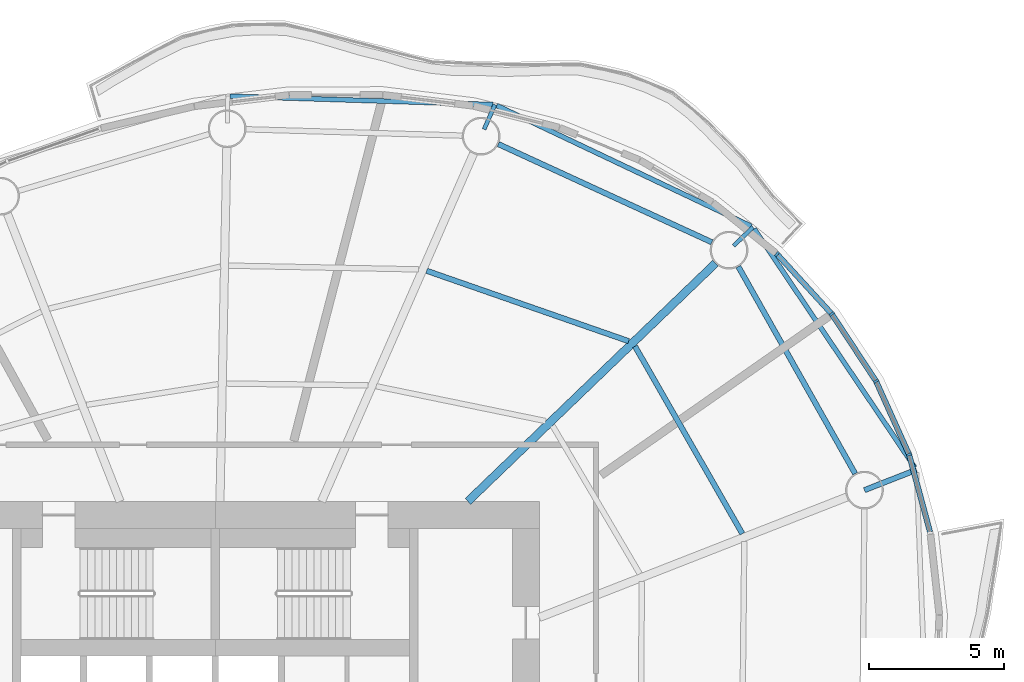
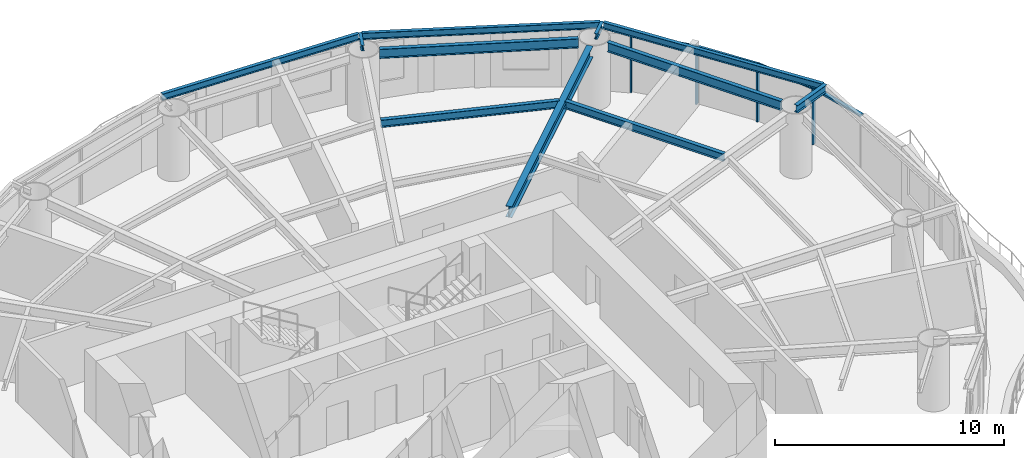
# One storey, part 6 of 14: 11 beams, 8 members, 4 elements without a shape of their own.
"""IFC4 building model written with IfcOpenShell, lengths in metres."""

from ifc_helpers import new_model, si_unit, direction, frame, origin, origin_2d, place, context, subcontext, project, spatial, rectangle, i_section, extrude, material, material_profile, profile_set, type_object, element, aggregate, save


model = new_model("IFC4")

# Units and contexts
model_context = context("Model", 3, precision=1e-05, world=origin(), true_north=direction((0.0, 1.0)))
body_context = subcontext(model_context, "Body", "Model", "MODEL_VIEW")
ifc_project = project(units=[si_unit("LENGTHUNIT", "METRE"), si_unit("AREAUNIT", "SQUARE_METRE"), si_unit("VOLUMEUNIT", "CUBIC_METRE"), si_unit("PLANEANGLEUNIT", "RADIAN"), si_unit("MASSUNIT", "GRAM", prefix="KILO")], contexts=[model_context])

# Site, building, storey
site_placement = place(None, origin())
site = spatial("IfcSite", under=ifc_project, at=site_placement, CompositionType="ELEMENT")
building_placement = place(site_placement, origin())
building = spatial("IfcBuilding", under=site, at=building_placement, Name="Vermilion Reach Broadcast Tower", CompositionType="ELEMENT")
storey_placement = place(building_placement, frame((0.0, 0.0, 150.60009765625)))
storey = spatial("IfcBuildingStorey", under=building, at=storey_placement, Name="L35", CompositionType="ELEMENT", Elevation=150.60009765625)

# Beams
ifc_material_1 = material(Name="Steel S355J2", Category="steel")
ifc_material_profile_1 = material_profile(ifc_material_1, i_section(OverallWidth=0.175048828125, OverallDepth=0.35009765625, WebThickness=0.007080078125, FlangeThickness=0.010986328125, at=origin_2d()), Name="S355J2 HN 350x175x7x11")
ifc_profile_set_1 = profile_set([ifc_material_profile_1], Name="Steel S355J2")
beam_type_1 = type_object("IfcBeamType", Name="EB3 HN 350x175x7x11", PredefinedType="BEAM", material=ifc_profile_set_1)
beam_1_placement = place(storey_placement, frame((13.84228515625, 19.192138671875, 3.27490234375), z_axis=(-0.903495446889, 0.428597687175, 0.0), x_axis=(-0.428597687175, -0.903495446889, 0.0)))
element("IfcBeam", 1, at=beam_1_placement, inside=storey, type_object=beam_type_1, Name="Edge beam EB3-01", PredefinedType="BEAM", context=body_context, shape_type="SweptSolid", body=[
    extrude(i_section(OverallWidth=0.175048828125, OverallDepth=0.35009765625, WebThickness=0.007080078125, FlangeThickness=0.010986328125, at=origin_2d()), origin(), (0.0, 0.0, 1.0), 10.4248046875),
])
beam_2_placement = place(storey_placement, frame((4.275146484375, 23.69482421875, 3.27490234375), z_axis=(-0.999495579017, 0.03175826705, 0.0), x_axis=(-0.03175826705, -0.999495579017, 0.0)))
element("IfcBeam", 2, at=beam_2_placement, inside=storey, type_object=beam_type_1, Name="Edge beam EB3-02", PredefinedType="BEAM", context=body_context, shape_type="SweptSolid", body=[
    extrude(i_section(OverallWidth=0.175048828125, OverallDepth=0.35009765625, WebThickness=0.007080078125, FlangeThickness=0.010986328125, at=origin_2d()), origin(), (0.0, 0.0, 1.0), 9.739990234375),
])
beam_3_placement = place(storey_placement, frame((19.906005859375, 10.254638671875, 3.27490234375), z_axis=(-0.558301159465, 0.829638364192, 0.0), x_axis=(-0.829638364192, -0.558301159465, 0.0)))
element("IfcBeam", 3, at=beam_3_placement, inside=storey, type_object=beam_type_1, Name="Edge beam EB3-16", PredefinedType="BEAM", context=body_context, shape_type="SweptSolid", body=[
    extrude(i_section(OverallWidth=0.175048828125, OverallDepth=0.35009765625, WebThickness=0.007080078125, FlangeThickness=0.010986328125, at=origin_2d()), origin(), (0.0, 0.0, 1.0), 10.655029296875),
])
ifc_material_2 = material(Name="Steel S355J2", Category="steel")
ifc_material_profile_2 = material_profile(ifc_material_2, i_section(OverallWidth=0.300048828125, OverallDepth=0.587890625, WebThickness=0.011962890625, FlangeThickness=0.02001953125, at=origin_2d()), Name="S355J2 HM 588x300x12x20")
ifc_profile_set_2 = profile_set([ifc_material_profile_2], Name="Steel S355J2")
beam_type_2 = type_object("IfcBeamType", Name="G3 HM 588x300x12x20", PredefinedType="BEAM", material=ifc_profile_set_2)
beam_4_placement = place(storey_placement, frame((3.355712890625, 9.0, 3.156005859375), z_axis=(0.720670374476, 0.693277874559, 0.0), x_axis=(-0.693277874559, 0.720670374476, 0.0)))
element("IfcBeam", 4, at=beam_4_placement, inside=storey, type_object=beam_type_2, Name="Girder G3-01", PredefinedType="BEAM", context=body_context, shape_type="SweptSolid", body=[
    extrude(i_section(OverallWidth=0.300048828125, OverallDepth=0.587890625, WebThickness=0.011962890625, FlangeThickness=0.02001953125, at=origin_2d()), origin(), (0.0, 0.0, 1.0), 12.718505859375),
])
ifc_material_3 = material(Name="Steel S355J2", Category="steel")
ifc_material_profile_3 = material_profile(ifc_material_3, i_section(OverallWidth=0.199951171875, OverallDepth=0.39990234375, WebThickness=0.008056640625, FlangeThickness=0.012939453125, at=origin_2d()), Name="S355J2 HN 400x200x8x13")
ifc_profile_set_3 = profile_set([ifc_material_profile_3], Name="Steel S355J2")
beam_type_3 = type_object("IfcBeamType", Name="GC3 HN 400x200x8x13", PredefinedType="BEAM", material=ifc_profile_set_3)
beam_5_placement = place(storey_placement, frame((18.04052734375, 9.41650390625, 3.25), z_axis=(0.931103154968, 0.364755966105, 0.0), x_axis=(-0.364755966105, 0.931103154968, 0.0)))
element("IfcBeam", 5, at=beam_5_placement, inside=storey, type_object=beam_type_3, Name="Cantilever girder GC3-16", PredefinedType="BEAM", context=body_context, shape_type="SweptSolid", body=[
    extrude(i_section(OverallWidth=0.199951171875, OverallDepth=0.39990234375, WebThickness=0.008056640625, FlangeThickness=0.012939453125, at=origin_2d()), origin(), (0.0, 0.0, 1.0), 2.06494140625),
])
ifc_material_4 = material(Name="Steel S355J2", Category="steel")
ifc_material_profile_4 = material_profile(ifc_material_4, i_section(OverallWidth=0.14990234375, OverallDepth=0.300048828125, WebThickness=0.006591796875, FlangeThickness=0.009033203125, at=origin_2d()), Name="S355J2 HN 300x150x6.5x9")
ifc_profile_set_4 = profile_set([ifc_material_profile_4], Name="Steel S355J2")
beam_type_4 = type_object("IfcBeamType", Name="GS3 HN 300x150x6.5x9", PredefinedType="BEAM", material=ifc_profile_set_4)
for number, where, z_axis, x_axis, name in (
    (6, (13.194091796875, 18.46435546875, 3.2998046875), (0.720645397388, 0.693303837595, 0.0), (-0.693303837595, 0.720645397388, 0.0), "Cantilever stub GS3-01"),
    (7, (3.955322265625, 22.77587890625, 3.2998046875), (0.400421736837, 0.916330962408, 0.0), (-0.916330962408, 0.400421736837, 0.0), "Cantilever stub GS3-02"),
):
    element("IfcBeam", number, at=place(storey_placement, frame(where, z_axis=z_axis, x_axis=x_axis)), inside=storey, type_object=beam_type_4, Name=name, PredefinedType="BEAM", context=body_context, shape_type="SweptSolid", body=[
        extrude(i_section(OverallWidth=0.14990234375, OverallDepth=0.300048828125, WebThickness=0.006591796875, FlangeThickness=0.009033203125, at=origin_2d()), origin(), (0.0, 0.0, 1.0), 1.0),
    ])
ifc_material_5 = material(Name="Steel S355J2", Category="steel")
ifc_material_profile_5 = material_profile(ifc_material_5, i_section(OverallWidth=0.199951171875, OverallDepth=0.5, WebThickness=0.010009765625, FlangeThickness=0.01611328125, at=origin_2d()), Name="S355J2 HN 500x200x10x16")
ifc_profile_set_5 = profile_set([ifc_material_profile_5], Name="Steel S355J2")
beam_type_5 = type_object("IfcBeamType", Name="RB3 HN 500x200x10x16", PredefinedType="BEAM", material=ifc_profile_set_5)
beam_6_placement = place(storey_placement, frame((12.389892578125, 18.594970703125, 3.199951171875), z_axis=(-0.908546241769, 0.417784306272, 0.0), x_axis=(-0.417784306272, -0.908546241769, 0.0)))
element("IfcBeam", 8, at=beam_6_placement, inside=storey, type_object=beam_type_5, Name="Ring beam RB3-01", PredefinedType="BEAM", context=body_context, shape_type="SweptSolid", body=[
    extrude(i_section(OverallWidth=0.199951171875, OverallDepth=0.5, WebThickness=0.010009765625, FlangeThickness=0.01611328125, at=origin_2d()), origin(), (0.0, 0.0, 1.0), 8.704833984375),
])
beam_7_placement = place(storey_placement, frame((17.696533203125, 10.026123046875, 3.199951171875), z_axis=(-0.491466825026, 0.870896296869, 0.0), x_axis=(-0.870896296869, -0.491466825026, 0.0)))
element("IfcBeam", 9, at=beam_7_placement, inside=storey, type_object=beam_type_5, Name="Ring beam RB3-16", PredefinedType="BEAM", context=body_context, shape_type="SweptSolid", body=[
    extrude(i_section(OverallWidth=0.199951171875, OverallDepth=0.5, WebThickness=0.010009765625, FlangeThickness=0.01611328125, at=origin_2d()), origin(), (0.0, 0.0, 1.0), 8.803466796875),
])
ifc_material_6 = material(Name="Steel S355J2", Category="steel")
ifc_material_profile_6 = material_profile(ifc_material_6, i_section(OverallWidth=0.199951171875, OverallDepth=0.39990234375, WebThickness=0.008056640625, FlangeThickness=0.012939453125, at=origin_2d()), Name="S355J2 HN 400x200x8x13")
ifc_profile_set_6 = profile_set([ifc_material_profile_6], Name="Steel S355J2")
beam_type_6 = type_object("IfcBeamType", Name="SB3 HN 400x200x8x13", PredefinedType="BEAM", material=ifc_profile_set_6)
beam_8_placement = place(storey_placement, frame((9.307373046875, 14.93359375, 3.25), z_axis=(-0.94431696779, 0.329037177754, 0.0), x_axis=(-0.329037177754, -0.94431696779, 0.0)))
element("IfcBeam", 10, at=beam_8_placement, inside=storey, type_object=beam_type_6, Name="Secondary beam SB3-01-2", PredefinedType="BEAM", context=body_context, shape_type="SweptSolid", body=[
    extrude(i_section(OverallWidth=0.199951171875, OverallDepth=0.39990234375, WebThickness=0.008056640625, FlangeThickness=0.012939453125, at=origin_2d()), origin(), (0.0, 0.0, 1.0), 7.91845703125),
])
beam_9_placement = place(storey_placement, frame((13.51708984375, 7.805908203125, 3.25), z_axis=(-0.497026503115, 0.867735360119, 0.0), x_axis=(-0.867735360119, -0.497026503115, 0.0)))
element("IfcBeam", 11, at=beam_9_placement, inside=storey, type_object=beam_type_6, Name="Secondary beam SB3-16-2", PredefinedType="BEAM", context=body_context, shape_type="SweptSolid", body=[
    extrude(i_section(OverallWidth=0.199951171875, OverallDepth=0.39990234375, WebThickness=0.008056640625, FlangeThickness=0.012939453125, at=origin_2d()), origin(), (0.0, 0.0, 1.0), 7.995849609375),
])

# Curtain wall, member
ifc_material_7 = material(Name="Low-e laminated clear glass in aluminium frame", Category="aluminium")
curtain_wall_type = type_object("IfcCurtainWallType", Name="Slot curtain wall", PredefinedType="NOTDEFINED", material=ifc_material_7)
placement = place(storey_placement, origin())
curtain_wall_1 = element("IfcCurtainWall", 12, at=placement, inside=storey, type_object=curtain_wall_type, Name="Slot curtain wall L35 47", PredefinedType="NOTDEFINED")
ifc_material_8 = material(Name="Anodised aluminium", Category="aluminium")
ifc_material_profile_7 = material_profile(ifc_material_8, rectangle(XDim=0.199951171875, YDim=0.080078125, at=origin_2d()), Name="Slot mullion 80 x 200")
ifc_profile_set_7 = profile_set([ifc_material_profile_7], Name="Anodised aluminium")
member_type_1 = type_object("IfcMemberType", Name="Slot mullion 80 x 200", PredefinedType="MULLION", material=ifc_profile_set_7)
member_1_placement = place(storey_placement, frame((19.69189453125, 10.73388671875, 0.0), z_axis=(0.0, 0.0, 1.0), x_axis=(-0.941522769431, -0.336949365103, 0.0)))
member_1 = element("IfcMember", 13, at=member_1_placement, type_object=member_type_1, Name="Slot mullion L35 47", PredefinedType="MULLION", context=body_context, shape_type="SweptSolid", body=[
    extrude(rectangle(XDim=0.199951171875, YDim=0.080078125, at=origin_2d()), origin(), (0.0, 0.0, 1.0), 3.0498046875),
])

curtain_wall_2 = element("IfcCurtainWall", 14, at=placement, inside=storey, type_object=curtain_wall_type, Name="Slot curtain wall L35 00", PredefinedType="NOTDEFINED")
member_2_placement = place(storey_placement, frame((18.468994140625, 13.451904296875, 0.0), z_axis=(0.0, 0.0, 1.0), x_axis=(-0.876306754633, -0.481753538425, 0.0)))
member_2 = element("IfcMember", 15, at=member_2_placement, type_object=member_type_1, Name="Slot mullion L35 00", PredefinedType="MULLION", context=body_context, shape_type="SweptSolid", body=[
    extrude(rectangle(XDim=0.199951171875, YDim=0.080078125, at=origin_2d()), origin(), (0.0, 0.0, 1.0), 3.0498046875),
])

# Curtain wall, members
curtain_wall_3 = element("IfcCurtainWall", 16, at=placement, inside=storey, type_object=curtain_wall_type, Name="Slot curtain wall L35 01", PredefinedType="NOTDEFINED")
member_3_placement = place(storey_placement, frame((16.829345703125, 15.94091796875, 0.0), z_axis=(0.0, 0.0, 1.0), x_axis=(-0.788988889973, -0.61440746374, 0.0)))
member_3 = element("IfcMember", 17, at=member_3_placement, type_object=member_type_1, Name="Slot mullion L35 01", PredefinedType="MULLION", context=body_context, shape_type="SweptSolid", body=[
    extrude(rectangle(XDim=0.199951171875, YDim=0.080078125, at=origin_2d()), origin(), (0.0, 0.0, 1.0), 3.0498046875),
])
member_4_placement = place(storey_placement, frame((14.800537109375, 18.159423828125, 0.0), z_axis=(0.0, 0.0, 1.0), x_axis=(-0.68361216835, -0.729845465345, 0.0)))
member_4 = element("IfcMember", 18, at=member_4_placement, type_object=member_type_1, Name="Slot mullion L35 02", PredefinedType="MULLION", context=body_context, shape_type="SweptSolid", body=[
    extrude(rectangle(XDim=0.199951171875, YDim=0.080078125, at=origin_2d()), origin(), (0.0, 0.0, 1.0), 3.0498046875),
])

# Curtain wall, member
curtain_wall_4 = element("IfcCurtainWall", 19, at=placement, inside=storey, type_object=curtain_wall_type, Name="Slot curtain wall L35 46", PredefinedType="NOTDEFINED")
ifc_material_9 = material(Name="Anodised aluminium", Category="aluminium")
ifc_material_profile_8 = material_profile(ifc_material_9, rectangle(XDim=0.199951171875, YDim=0.10009765625, at=origin_2d()), Name="Slot transom 200 x 100")
ifc_profile_set_8 = profile_set([ifc_material_profile_8], Name="Anodised aluminium")
member_type_2 = type_object("IfcMemberType", Name="Slot transom 200 x 100", PredefinedType="USERDEFINED", material=ifc_profile_set_8)
member_5_placement = place(storey_placement, frame((20.467529296875, 7.870849609375, 3.0), z_axis=(-0.261472152899, 0.965211020067, 0.0), x_axis=(-0.965211020067, -0.261472152899, 0.0)))
member_5 = element("IfcMember", 20, at=member_5_placement, type_object=member_type_2, Name="Slot transom L35 46.1", ObjectType="TRANSOM", PredefinedType="USERDEFINED", context=body_context, shape_type="SweptSolid", body=[
    extrude(rectangle(XDim=0.199951171875, YDim=0.10009765625, at=origin_2d()), origin(), (0.0, 0.0, 1.0), 2.92626953125),
])
aggregate(curtain_wall_4, [member_5])

# Member
member_6_placement = place(storey_placement, frame((19.675537109375, 10.770263671875, 3.0), z_axis=(-0.410312181887, 0.911945126307, 0.0), x_axis=(-0.911945126307, -0.410312181887, 0.0)))
member_6 = element("IfcMember", 21, at=member_6_placement, type_object=member_type_2, Name="Slot transom L35 47.1", ObjectType="TRANSOM", PredefinedType="USERDEFINED", context=body_context, shape_type="SweptSolid", body=[
    extrude(rectangle(XDim=0.199951171875, YDim=0.10009765625, at=origin_2d()), origin(), (0.0, 0.0, 1.0), 2.900634765625),
])

aggregate(curtain_wall_1, [member_1, member_6])

member_7_placement = place(storey_placement, frame((18.44677734375, 13.4853515625, 3.0), z_axis=(-0.550087944093, 0.835106731959, 0.0), x_axis=(-0.835106731959, -0.550087944093, 0.0)))
member_7 = element("IfcMember", 22, at=member_7_placement, type_object=member_type_2, Name="Slot transom L35 00.1", ObjectType="TRANSOM", PredefinedType="USERDEFINED", context=body_context, shape_type="SweptSolid", body=[
    extrude(rectangle(XDim=0.199951171875, YDim=0.10009765625, at=origin_2d()), origin(), (0.0, 0.0, 1.0), 2.900390625),
])

aggregate(curtain_wall_2, [member_2, member_7])

member_8_placement = place(storey_placement, frame((16.80224609375, 15.970458984375, 3.0), z_axis=(-0.674866572138, 0.737939773837, 0.0), x_axis=(-0.737939773837, -0.674866572138, 0.0)))
member_8 = element("IfcMember", 23, at=member_8_placement, type_object=member_type_2, Name="Slot transom L35 01.1", ObjectType="TRANSOM", PredefinedType="USERDEFINED", context=body_context, shape_type="SweptSolid", body=[
    extrude(rectangle(XDim=0.199951171875, YDim=0.10009765625, at=origin_2d()), origin(), (0.0, 0.0, 1.0), 2.92626953125),
])

aggregate(curtain_wall_3, [member_3, member_4, member_8])

save(model, "model.ifc")
